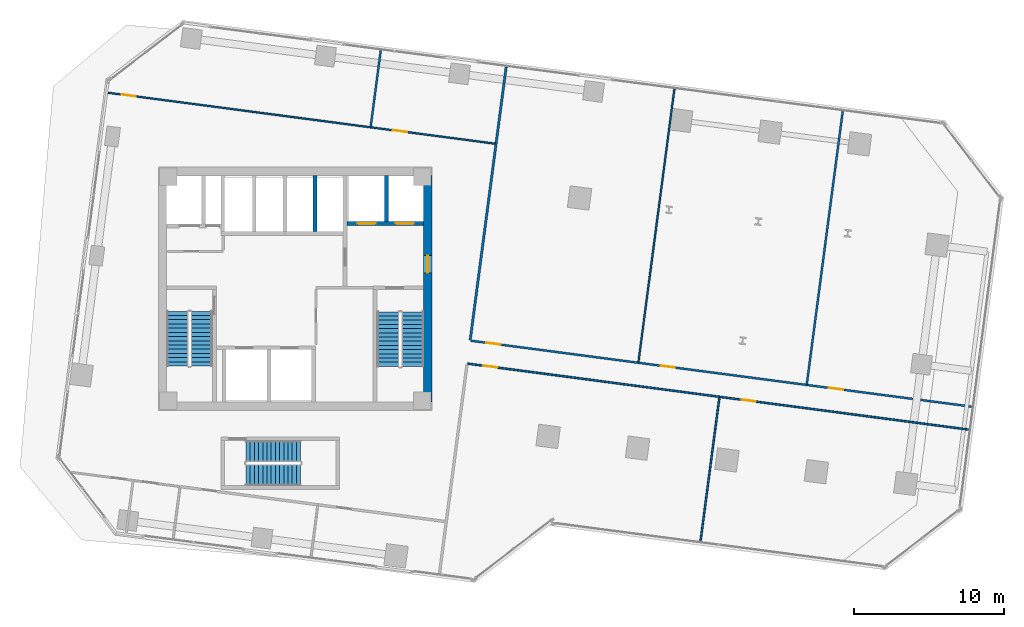
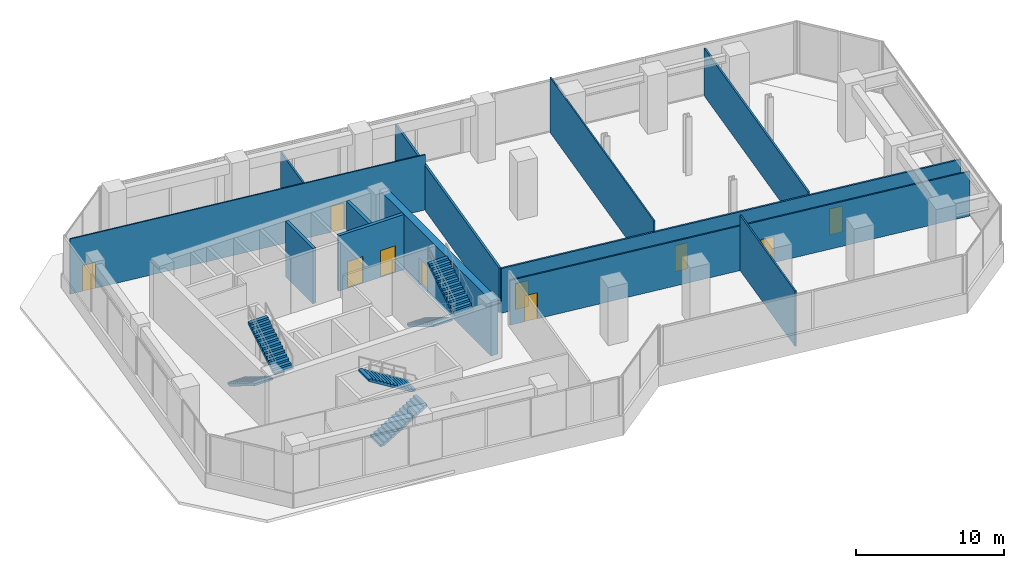
# One storey, part 20 of 24: 12 walls, 10 doors, 6 stair flights, 10 openings, 3 elements without a shape of their own.
"""IFC4 building model written with IfcOpenShell, lengths in metres."""

from ifc_helpers import new_model, si_unit, direction, frame, frame_2d, origin, place, context, subcontext, project, spatial, polyline, rectangle, outline, extrude, source, transform, mapped, material, layer, layer_set, type_object, element, fill, aggregate, save


model = new_model("IFC4")

# Units and contexts
model_context = context("Model", 3, precision=1e-05, world=origin(), true_north=direction((0.0, 1.0)))
body_context = subcontext(model_context, "Body", "Model", "MODEL_VIEW")
ifc_project = project(units=[si_unit("LENGTHUNIT", "METRE"), si_unit("AREAUNIT", "SQUARE_METRE"), si_unit("VOLUMEUNIT", "CUBIC_METRE"), si_unit("PLANEANGLEUNIT", "RADIAN"), si_unit("MASSUNIT", "GRAM", prefix="KILO")], contexts=[model_context])

# Site, building, storey
site_placement = place(None, origin())
site = spatial("IfcSite", under=ifc_project, at=site_placement, CompositionType="ELEMENT")
building_placement = place(site_placement, origin())
building = spatial("IfcBuilding", under=site, at=building_placement, Name="Torre Montelarca", CompositionType="ELEMENT")
storey_placement = place(building_placement, frame((0.0, 0.0, 61.60009765625)))
storey = spatial("IfcBuildingStorey", under=building, at=storey_placement, Name="L13", CompositionType="ELEMENT", Elevation=61.60009765625)

# Wall, openings, doors
ifc_material_1 = material(Name="Concrete C40/50", Category="concrete")
ifc_layer_1 = layer(ifc_material_1, 0.25, Name="Concrete C40/50", Category="concrete")
ifc_layer_set_1 = layer_set([ifc_layer_1], Name="Concrete C40/50")
wall_type_1 = type_object("IfcWallType", Name="CW-SHAFT-250", PredefinedType="SHEAR", material=ifc_layer_set_1)
wall_1_placement = place(storey_placement, frame((21.449951171875, 36.35009765625, 0.0), z_axis=(0.0, 0.0, 1.0), x_axis=(1.0, 0.0, 0.0)))
wall_1 = element("IfcWall", 1, at=wall_1_placement, inside=storey, type_object=wall_type_1, Name="L13 Core Shear Wall SH-FF-S", PredefinedType="SHEAR", context=body_context, shape_type="SweptSolid", body=[
    extrude(rectangle(XDim=5.090087890625, YDim=0.25, at=frame_2d((2.544921875, 0.0))), origin(), (0.0, 0.0, 1.0), 4.559814453125),
])
opening_1_placement = place(wall_1_placement, frame((0.699951171875, 0.0, 0.0)))
opening_1 = element("IfcOpeningElement", 2, at=opening_1_placement, cuts=wall_1, Name="Opening LD-120", PredefinedType="OPENING", context=body_context, shape_type="SweptSolid", body=[
    extrude(rectangle(XDim=1.199951171875, YDim=2.199951171875, at=frame_2d((0.60009765625, 1.10009765625))), frame((0.0, 0.135009765625, 0.0), z_axis=(0.0, -1.0, 0.0), x_axis=(1.0, 0.0, 0.0)), (0.0, 0.0, 1.0), 0.27001953125),
])
opening_2_placement = place(wall_1_placement, frame((3.25, 0.0, 0.0)))
opening_2 = element("IfcOpeningElement", 3, at=opening_2_placement, cuts=wall_1, Name="Opening LD-120", PredefinedType="OPENING", context=body_context, shape_type="SweptSolid", body=[
    extrude(rectangle(XDim=1.199951171875, YDim=2.199951171875, at=frame_2d((0.60009765625, 1.10009765625))), frame((0.0, 0.135009765625, 0.0), z_axis=(0.0, -1.0, 0.0), x_axis=(1.0, 0.0, 0.0)), (0.0, 0.0, 1.0), 0.27001953125),
])
ifc_material_2 = material(Name="Brushed stainless steel AISI 316", Category="steel")
door_type_1 = type_object("IfcDoorType", Name="DR-LIFT-120", OperationType="SLIDING_TO_RIGHT", PredefinedType="DOOR", material=ifc_material_2)
shared_shape_1 = source(origin(), body_context, "Body", "SweptSolid", [
    extrude(rectangle(XDim=1.199951171875, YDim=2.199951171875, at=frame_2d((0.60009765625, 1.10009765625))), frame((0.0, 0.02490234375, 0.0), z_axis=(0.0, -1.0, 0.0), x_axis=(1.0, 0.0, 0.0)), (0.0, 0.0, 1.0), 0.050048828125),
])
door_1_placement = place(opening_1_placement, origin())
door_1 = element("IfcDoor", 4, at=door_1_placement, inside=storey, type_object=door_type_1, Name="L13 Lift Landing Sliding Door FF-1", OperationType="SLIDING_TO_LEFT", OverallHeight=2.199951171875, OverallWidth=1.199951171875, PredefinedType="DOOR", context=body_context, shape_type="MappedRepresentation", body=[
    mapped(shared_shape_1, transform((0.0, 0.0, 0.0), scale=1.0)),
])
fill(opening_1, door_1)
door_2_placement = place(opening_2_placement, origin())
door_2 = element("IfcDoor", 5, at=door_2_placement, inside=storey, type_object=door_type_1, Name="L13 Lift Landing Sliding Door FF-2", OperationType="SLIDING_TO_RIGHT", OverallHeight=2.199951171875, OverallWidth=1.199951171875, PredefinedType="DOOR", context=body_context, shape_type="MappedRepresentation", body=[
    mapped(shared_shape_1, transform((0.0, 0.0, 0.0), scale=1.0)),
])
fill(opening_2, door_2)

# Walls
wall_2_placement = place(storey_placement, frame((24.080078125, 36.47998046875, 0.0), z_axis=(0.0, 0.0, 1.0), x_axis=(0.0, 1.0, 0.0)))
element("IfcWall", 6, at=wall_2_placement, inside=storey, type_object=wall_type_1, Name="L13 Core Shear Wall SH-FF-M", PredefinedType="SHEAR", context=body_context, shape_type="SweptSolid", body=[
    extrude(rectangle(XDim=3.06005859375, YDim=0.25, at=frame_2d((1.530029296875, 0.0))), origin(), (0.0, 0.0, 1.0), 4.559814453125),
])
wall_3_placement = place(storey_placement, frame((19.320068359375, 35.81005859375, 0.0), z_axis=(0.0, 0.0, 1.0), x_axis=(0.0, 1.0, 0.0)))
element("IfcWall", 7, at=wall_3_placement, inside=storey, type_object=wall_type_1, Name="L13 Core Shear Wall SH-PLH-M", PredefinedType="SHEAR", context=body_context, shape_type="SweptSolid", body=[
    extrude(rectangle(XDim=3.72998046875, YDim=0.25, at=frame_2d((1.864990234375, 0.0))), origin(), (0.0, 0.0, 1.0), 4.559814453125),
])

# Wall, opening, door
ifc_material_3 = material(Name="Concrete C70/85", Category="concrete")
ifc_layer_2 = layer(ifc_material_3, 0.550048828125, Name="Concrete C70/85", Category="concrete")
ifc_layer_set_2 = layer_set([ifc_layer_2], Name="Concrete C70/85")
wall_type_2 = type_object("IfcWallType", Name="CW-SHEAR-550", PredefinedType="SHEAR", material=ifc_layer_set_2)
wall_4_placement = place(storey_placement, frame((26.824951171875, 24.449951171875, 0.0), z_axis=(0.0, 0.0, 1.0), x_axis=(0.0, 1.0, 0.0)))
wall_4 = element("IfcWall", 8, at=wall_4_placement, inside=storey, type_object=wall_type_2, Name="L13 Core Shear Wall CW-E", PredefinedType="SHEAR", context=body_context, shape_type="SweptSolid", body=[
    extrude(rectangle(XDim=15.10009765625, YDim=0.550048828125, at=frame_2d((7.550048828125, 0.0))), origin(), (0.0, 0.0, 1.0), 4.559814453125),
])
opening_3_placement = place(wall_4_placement, frame((8.60009765625, 0.0, 0.0)))
opening_3 = element("IfcOpeningElement", 9, at=opening_3_placement, cuts=wall_4, Name="Opening FD-LB1", PredefinedType="OPENING", context=body_context, shape_type="SweptSolid", body=[
    extrude(rectangle(XDim=1.14990234375, YDim=2.199951171875, at=frame_2d((0.574951171875, 1.10009765625))), frame((0.0, 0.28515625, 0.0), z_axis=(0.0, -1.0, 0.0), x_axis=(1.0, 0.0, 0.0)), (0.0, 0.0, 1.0), 0.570068359375),
])
ifc_material_4 = material(Name="Acoustic timber-veneered fire door", Category="wood")
door_type_2 = type_object("IfcDoorType", Name="DR-LOBBY-115", OperationType="NOTDEFINED", PredefinedType="DOOR", material=ifc_material_4)
shared_shape_2 = source(origin(), body_context, "Body", "SweptSolid", [
    extrude(rectangle(XDim=1.14990234375, YDim=2.199951171875, at=frame_2d((0.574951171875, 1.10009765625))), frame((0.0, 0.02490234375, 0.0), z_axis=(0.0, -1.0, 0.0), x_axis=(1.0, 0.0, 0.0)), (0.0, 0.0, 1.0), 0.050048828125),
])
door_3_placement = place(opening_3_placement, origin())
door_3 = element("IfcDoor", 10, at=door_3_placement, inside=storey, type_object=door_type_2, Name="L13 Firefighting Lift Lobby Corridor Fire Door", OperationType="SINGLE_SWING_RIGHT", OverallHeight=2.199951171875, OverallWidth=1.14990234375, PredefinedType="DOOR", context=body_context, shape_type="MappedRepresentation", body=[
    mapped(shared_shape_2, transform((0.0, 0.0, 0.0), scale=1.0)),
])
fill(opening_3, door_3)

# Wall
ifc_material_5 = material(Name="Gypsum plasterboard on steel stud", Category="steel")
ifc_layer_3 = layer(ifc_material_5, 0.159912109375, Name="Gypsum plasterboard on steel stud", Category="steel")
ifc_layer_set_3 = layer_set([ifc_layer_3], Name="Gypsum plasterboard on steel stud")
wall_type_3 = type_object("IfcWallType", Name="PW-FIRE-160", PredefinedType="PARTITIONING", material=ifc_layer_set_3)
wall_5_placement = place(storey_placement, frame((29.644287109375, 28.587890625, 0.0), z_axis=(0.0, 0.0, 1.0), x_axis=(0.130525105318, 0.991445004467, 0.0)))
element("IfcWall", 11, at=wall_5_placement, inside=storey, type_object=wall_type_3, Name="L13 Interior Partition W-L13-ECN", PredefinedType="PARTITIONING", context=body_context, shape_type="SweptSolid", body=[
    extrude(rectangle(XDim=18.33984375, YDim=0.159912109375, at=frame_2d((9.169921875, 0.0))), origin(), (0.0, 0.0, 1.0), 3.69482421875),
])

# Wall, openings, doors
ifc_material_6 = material(Name="Acoustic laminated glass partition", Category="glass")
ifc_layer_4 = layer(ifc_material_6, 0.10009765625, Name="Acoustic laminated glass partition", Category="glass")
ifc_layer_set_4 = layer_set([ifc_layer_4], Name="Acoustic laminated glass partition")
wall_type_4 = type_object("IfcWallType", Name="PW-GLAZ-100", PredefinedType="PARTITIONING", material=ifc_layer_set_4)
wall_6_placement = place(storey_placement, frame((5.546142578125, 45.0439453125, 0.0), z_axis=(0.0, 0.0, 1.0), x_axis=(0.99144534416, -0.13052252504, 0.0)))
wall_6 = element("IfcWall", 12, at=wall_6_placement, inside=storey, type_object=wall_type_4, Name="L13 Interior Partition W-L13-NBOT", PredefinedType="PARTITIONING", context=body_context, shape_type="SweptSolid", body=[
    extrude(rectangle(XDim=25.999755859375, YDim=0.10009765625, at=frame_2d((13.0, 0.0))), origin(), (0.0, 0.0, 1.0), 4.559814453125),
])
opening_4_placement = place(wall_6_placement, frame((0.909912109375, 0.0, 0.0)))
opening_4 = element("IfcOpeningElement", 13, at=opening_4_placement, cuts=wall_6, Name="Opening ID-095", PredefinedType="OPENING", context=body_context, shape_type="SweptSolid", body=[
    extrude(rectangle(XDim=0.949951171875, YDim=2.14990234375, at=frame_2d((0.47509765625, 1.074951171875))), frame((0.0, 0.06005859375, 0.0), z_axis=(0.0, -1.0, 0.0), x_axis=(1.0, 0.0, 0.0)), (0.0, 0.0, 1.0), 0.1201171875),
])
opening_5_placement = place(wall_6_placement, frame((19.110107421875, 0.0, 0.0)))
opening_5 = element("IfcOpeningElement", 14, at=opening_5_placement, cuts=wall_6, Name="Opening ID-095", PredefinedType="OPENING", context=body_context, shape_type="SweptSolid", body=[
    extrude(rectangle(XDim=0.949951171875, YDim=2.14990234375, at=frame_2d((0.47509765625, 1.074951171875))), frame((0.0, 0.06005859375, 0.0), z_axis=(0.0, -1.0, 0.0), x_axis=(1.0, 0.0, 0.0)), (0.0, 0.0, 1.0), 0.1201171875),
])
ifc_material_7 = material(Name="Hardwood acoustic timber veneer", Category="wood")
door_type_3 = type_object("IfcDoorType", Name="DR-INT-095", OperationType="NOTDEFINED", PredefinedType="DOOR", material=ifc_material_7)
shared_shape_3 = source(origin(), body_context, "Body", "SweptSolid", [
    extrude(rectangle(XDim=0.949951171875, YDim=2.14990234375, at=frame_2d((0.47509765625, 1.074951171875))), frame((0.0, 0.02490234375, 0.0), z_axis=(0.0, -1.0, 0.0), x_axis=(1.0, 0.0, 0.0)), (0.0, 0.0, 1.0), 0.050048828125),
])
door_4_placement = place(opening_4_placement, origin())
door_4 = element("IfcDoor", 15, at=door_4_placement, inside=storey, type_object=door_type_3, Name="L13 Interior Door 07", OperationType="SINGLE_SWING_LEFT", OverallHeight=2.14990234375, OverallWidth=0.949951171875, PredefinedType="DOOR", context=body_context, shape_type="MappedRepresentation", body=[
    mapped(shared_shape_3, transform((0.0, 0.0, 0.0), scale=1.0)),
])
fill(opening_4, door_4)
door_5_placement = place(opening_5_placement, origin())
door_5 = element("IfcDoor", 16, at=door_5_placement, inside=storey, type_object=door_type_3, Name="L13 Interior Door 08", OperationType="SINGLE_SWING_RIGHT", OverallHeight=2.14990234375, OverallWidth=0.949951171875, PredefinedType="DOOR", context=body_context, shape_type="MappedRepresentation", body=[
    mapped(shared_shape_3, transform((0.0, 0.0, 0.0), scale=1.0)),
])
fill(opening_5, door_5)

# Wall
wall_7_placement = place(storey_placement, frame((40.837646484375, 27.1142578125, 0.0), z_axis=(0.0, 0.0, 1.0), x_axis=(0.130538190585, 0.991443281685, 0.0)))
element("IfcWall", 17, at=wall_7_placement, inside=storey, type_object=wall_type_4, Name="L13 Interior Partition W-L13-NEDIV-1", PredefinedType="PARTITIONING", context=body_context, shape_type="SweptSolid", body=[
    extrude(rectangle(XDim=18.33984375, YDim=0.10009765625, at=frame_2d((9.169921875, 0.0))), origin(), (0.0, 0.0, 1.0), 4.559814453125),
])

# Wall, openings, doors
ifc_layer_5 = layer(ifc_material_5, 0.114990234375, Name="Gypsum plasterboard on steel stud", Category="steel")
ifc_layer_set_5 = layer_set([ifc_layer_5], Name="Gypsum plasterboard on steel stud")
wall_type_5 = type_object("IfcWallType", Name="PW-PART-115", PredefinedType="PARTITIONING", material=ifc_layer_set_5)
wall_8_placement = place(storey_placement, frame((29.477783203125, 27.01611328125, 0.0), z_axis=(0.0, 0.0, 1.0), x_axis=(0.991444590622, -0.130528248771, 0.0)))
wall_8 = element("IfcWall", 18, at=wall_8_placement, inside=storey, type_object=wall_type_5, Name="L13 Interior Partition W-L13-SE-N", PredefinedType="PARTITIONING", context=body_context, shape_type="SweptSolid", body=[
    extrude(rectangle(XDim=33.659912109375, YDim=0.114990234375, at=frame_2d((16.830078125, 0.0))), origin(), (0.0, 0.0, 1.0), 3.69482421875),
])
opening_6_placement = place(wall_8_placement, frame((1.050048828125, 0.0, 0.0)))
opening_6 = element("IfcOpeningElement", 19, at=opening_6_placement, cuts=wall_8, Name="Opening ID-095", PredefinedType="OPENING", context=body_context, shape_type="SweptSolid", body=[
    extrude(rectangle(XDim=0.949951171875, YDim=2.14990234375, at=frame_2d((0.47509765625, 1.074951171875))), frame((0.0, 0.0673828125, 0.0), z_axis=(0.0, -1.0, 0.0), x_axis=(1.0, 0.0, 0.0)), (0.0, 0.0, 1.0), 0.135009765625),
])
opening_7_placement = place(wall_8_placement, frame((18.389892578125, 0.0, 0.0)))
opening_7 = element("IfcOpeningElement", 20, at=opening_7_placement, cuts=wall_8, Name="Opening ID-095", PredefinedType="OPENING", context=body_context, shape_type="SweptSolid", body=[
    extrude(rectangle(XDim=0.949951171875, YDim=2.14990234375, at=frame_2d((0.47509765625, 1.074951171875))), frame((0.0, 0.0673828125, 0.0), z_axis=(0.0, -1.0, 0.0), x_axis=(1.0, 0.0, 0.0)), (0.0, 0.0, 1.0), 0.135009765625),
])
door_6_placement = place(opening_6_placement, origin())
door_6 = element("IfcDoor", 21, at=door_6_placement, inside=storey, type_object=door_type_3, Name="L13 Interior Door 12", OperationType="SINGLE_SWING_LEFT", OverallHeight=2.14990234375, OverallWidth=0.949951171875, PredefinedType="DOOR", context=body_context, shape_type="MappedRepresentation", body=[
    mapped(shared_shape_3, transform((0.0, 0.0, 0.0), scale=1.0)),
])
fill(opening_6, door_6)
door_7_placement = place(opening_7_placement, origin())
door_7 = element("IfcDoor", 22, at=door_7_placement, inside=storey, type_object=door_type_3, Name="L13 Interior Door 13", OperationType="SINGLE_SWING_RIGHT", OverallHeight=2.14990234375, OverallWidth=0.949951171875, PredefinedType="DOOR", context=body_context, shape_type="MappedRepresentation", body=[
    mapped(shared_shape_3, transform((0.0, 0.0, 0.0), scale=1.0)),
])
fill(opening_7, door_7)

# Walls
wall_9_placement = place(storey_placement, frame((44.96435546875, 15.17333984375, 0.0), z_axis=(0.0, 0.0, 1.0), x_axis=(0.130519754353, 0.991445708914, 0.0)))
element("IfcWall", 23, at=wall_9_placement, inside=storey, type_object=wall_type_5, Name="L13 Interior Partition W-L13-SEDIV-1", PredefinedType="PARTITIONING", context=body_context, shape_type="SweptSolid", body=[
    extrude(rectangle(XDim=9.679931640625, YDim=0.114990234375, at=frame_2d((4.83984375, 0.0))), origin(), (0.0, 0.0, 1.0), 4.559814453125),
])
ifc_layer_6 = layer(ifc_material_5, 0.135009765625, Name="Gypsum plasterboard on steel stud", Category="steel")
ifc_layer_set_6 = layer_set([ifc_layer_6], Name="Gypsum plasterboard on steel stud")
wall_type_6 = type_object("IfcWallType", Name="PW-PART-135", PredefinedType="PARTITIONING", material=ifc_layer_set_6)
wall_10_placement = place(storey_placement, frame((23.0205078125, 42.78369140625, 0.0), z_axis=(0.0, 0.0, 1.0), x_axis=(0.130539454953, 0.991443115212, 0.0)))
element("IfcWall", 24, at=wall_10_placement, inside=storey, type_object=wall_type_6, Name="L13 Interior Partition W-L13-NDIV-1", PredefinedType="PARTITIONING", context=body_context, shape_type="SweptSolid", body=[
    extrude(rectangle(XDim=5.130126953125, YDim=0.135009765625, at=frame_2d((2.56494140625, 0.0))), origin(), (0.0, 0.0, 1.0), 3.69482421875),
])

# Wall, openings, doors
wall_11_placement = place(storey_placement, frame((29.6787109375, 28.54296875, 0.0), z_axis=(0.0, 0.0, 1.0), x_axis=(0.991444714197, -0.130527310133, 0.0)))
wall_11 = element("IfcWall", 25, at=wall_11_placement, inside=storey, type_object=wall_type_6, Name="L13 Interior Partition W-L13-NE-S", PredefinedType="PARTITIONING", context=body_context, shape_type="SweptSolid", body=[
    extrude(rectangle(XDim=33.66015625, YDim=0.135009765625, at=frame_2d((16.830078125, 0.0))), origin(), (0.0, 0.0, 1.0), 3.69482421875),
])
opening_8_placement = place(wall_11_placement, frame((1.050048828125, 0.0, 0.0)))
opening_8 = element("IfcOpeningElement", 26, at=opening_8_placement, cuts=wall_11, Name="Opening ID-095", PredefinedType="OPENING", context=body_context, shape_type="SweptSolid", body=[
    extrude(rectangle(XDim=0.949951171875, YDim=2.14990234375, at=frame_2d((0.47509765625, 1.074951171875))), frame((0.0, 0.07763671875, 0.0), z_axis=(0.0, -1.0, 0.0), x_axis=(1.0, 0.0, 0.0)), (0.0, 0.0, 1.0), 0.155029296875),
])
opening_9_placement = place(wall_11_placement, frame((12.739990234375, 0.0, 0.0)))
opening_9 = element("IfcOpeningElement", 27, at=opening_9_placement, cuts=wall_11, Name="Opening ID-095", PredefinedType="OPENING", context=body_context, shape_type="SweptSolid", body=[
    extrude(rectangle(XDim=0.949951171875, YDim=2.14990234375, at=frame_2d((0.47509765625, 1.074951171875))), frame((0.0, 0.07763671875, 0.0), z_axis=(0.0, -1.0, 0.0), x_axis=(1.0, 0.0, 0.0)), (0.0, 0.0, 1.0), 0.155029296875),
])
opening_10_placement = place(wall_11_placement, frame((24.0400390625, 0.0, 0.0)))
opening_10 = element("IfcOpeningElement", 28, at=opening_10_placement, cuts=wall_11, Name="Opening ID-095", PredefinedType="OPENING", context=body_context, shape_type="SweptSolid", body=[
    extrude(rectangle(XDim=0.949951171875, YDim=2.14990234375, at=frame_2d((0.47509765625, 1.074951171875))), frame((0.0, 0.07763671875, 0.0), z_axis=(0.0, -1.0, 0.0), x_axis=(1.0, 0.0, 0.0)), (0.0, 0.0, 1.0), 0.155029296875),
])
door_8_placement = place(opening_8_placement, origin())
door_8 = element("IfcDoor", 29, at=door_8_placement, inside=storey, type_object=door_type_3, Name="L13 Interior Door 09", OperationType="SINGLE_SWING_LEFT", OverallHeight=2.14990234375, OverallWidth=0.949951171875, PredefinedType="DOOR", context=body_context, shape_type="MappedRepresentation", body=[
    mapped(shared_shape_3, transform((0.0, 0.0, 0.0), scale=1.0)),
])
fill(opening_8, door_8)
door_9_placement = place(opening_9_placement, origin())
door_9 = element("IfcDoor", 30, at=door_9_placement, inside=storey, type_object=door_type_3, Name="L13 Interior Door 10", OperationType="SINGLE_SWING_RIGHT", OverallHeight=2.14990234375, OverallWidth=0.949951171875, PredefinedType="DOOR", context=body_context, shape_type="MappedRepresentation", body=[
    mapped(shared_shape_3, transform((0.0, 0.0, 0.0), scale=1.0)),
])
fill(opening_9, door_9)
door_10_placement = place(opening_10_placement, origin())
door_10 = element("IfcDoor", 31, at=door_10_placement, inside=storey, type_object=door_type_3, Name="L13 Interior Door 11", OperationType="SINGLE_SWING_RIGHT", OverallHeight=2.14990234375, OverallWidth=0.949951171875, PredefinedType="DOOR", context=body_context, shape_type="MappedRepresentation", body=[
    mapped(shared_shape_3, transform((0.0, 0.0, 0.0), scale=1.0)),
])
fill(opening_10, door_10)

# Wall
wall_12_placement = place(storey_placement, frame((52.041015625, 25.63916015625, 0.0), z_axis=(0.0, 0.0, 1.0), x_axis=(0.130523382643, 0.991445231258, 0.0)))
element("IfcWall", 32, at=wall_12_placement, inside=storey, type_object=wall_type_6, Name="L13 Interior Partition W-L13-NEDIV-2", PredefinedType="PARTITIONING", context=body_context, shape_type="SweptSolid", body=[
    extrude(rectangle(XDim=18.340087890625, YDim=0.135009765625, at=frame_2d((9.169921875, 0.0))), origin(), (0.0, 0.0, 1.0), 3.9228515625),
])

# Stair, stair flights
stair_type_1 = type_object("IfcStairType", Name="ST-CORE-ST1", PredefinedType="HALF_TURN_STAIR", material=ifc_material_1)
stair_1_placement = place(storey_placement, origin())
stair_1 = element("IfcStair", 33, at=stair_1_placement, inside=storey, type_object=stair_type_1, Name="L13 Protected Exit Stair ST1", PredefinedType="HALF_TURN_STAIR")
stair_flight_type_1 = type_object("IfcStairFlightType", Name="SFL-CORE-ST1", PredefinedType="STRAIGHT", material=ifc_material_1)
stair_flight_1_placement = place(storey_placement, frame((10.175048828125, 30.5, 0.0), z_axis=(0.0, 0.0, 1.0), x_axis=(0.0, -1.0, 0.0)))
stair_flight_1 = element("IfcStairFlight", 34, at=stair_flight_1_placement, type_object=stair_flight_type_1, Name="ST1 flight 1", NumberOfRisers=14, NumberOfTreads=13, PredefinedType="STRAIGHT", RiserHeight=0.171428571, TreadLength=0.28, context=body_context, shape_type="SweptSolid", body=[
    extrude(outline(polyline([(0.0, 0.0), (0.0, 0.17138671875), (0.280029296875, 0.17138671875), (0.280029296875, 0.3427734375), (0.56005859375, 0.3427734375), (0.56005859375, 0.514404296875), (0.840087890625, 0.514404296875), (0.840087890625, 0.685791015625), (1.1201171875, 0.685791015625), (1.1201171875, 0.857177734375), (1.39990234375, 0.857177734375), (1.39990234375, 1.028564453125), (1.679931640625, 1.028564453125), (1.679931640625, 1.199951171875), (1.9599609375, 1.199951171875), (1.9599609375, 1.371337890625), (2.239990234375, 1.371337890625), (2.239990234375, 1.54296875), (2.52001953125, 1.54296875), (2.52001953125, 1.71435546875), (2.800048828125, 1.71435546875), (2.800048828125, 1.8857421875), (3.080078125, 1.8857421875), (3.080078125, 2.05712890625), (3.360107421875, 2.05712890625), (3.360107421875, 2.228515625), (3.639892578125, 2.228515625), (3.639892578125, 2.39990234375), (3.639892578125, 2.052734375), (0.287109375, 0.0), (0.0, 0.0)])), frame((0.0, 0.72509765625, 0.0), z_axis=(0.0, -1.0, 0.0), x_axis=(1.0, 0.0, 0.0)), (0.0, 0.0, 1.0), 1.449951171875),
])
stair_flight_2_placement = place(storey_placement, frame((11.77490234375, 26.860107421875, 2.39990234375), z_axis=(0.0, 0.0, 1.0), x_axis=(0.0, 1.0, 0.0)))
stair_flight_2 = element("IfcStairFlight", 35, at=stair_flight_2_placement, type_object=stair_flight_type_1, Name="ST1 flight 2", NumberOfRisers=14, NumberOfTreads=13, PredefinedType="STRAIGHT", RiserHeight=0.171428571, TreadLength=0.28, context=body_context, shape_type="SweptSolid", body=[
    extrude(outline(polyline([(0.0, 0.0), (0.0, 0.17138671875), (0.280029296875, 0.17138671875), (0.280029296875, 0.3427734375), (0.56005859375, 0.3427734375), (0.56005859375, 0.514404296875), (0.840087890625, 0.514404296875), (0.840087890625, 0.685791015625), (1.1201171875, 0.685791015625), (1.1201171875, 0.857177734375), (1.39990234375, 0.857177734375), (1.39990234375, 1.028564453125), (1.679931640625, 1.028564453125), (1.679931640625, 1.199951171875), (1.9599609375, 1.199951171875), (1.9599609375, 1.371337890625), (2.239990234375, 1.371337890625), (2.239990234375, 1.54296875), (2.52001953125, 1.54296875), (2.52001953125, 1.71435546875), (2.800048828125, 1.71435546875), (2.800048828125, 1.8857421875), (3.080078125, 1.8857421875), (3.080078125, 2.05712890625), (3.360107421875, 2.05712890625), (3.360107421875, 2.228515625), (3.639892578125, 2.228515625), (3.639892578125, 2.39990234375), (3.639892578125, 2.052734375), (0.287109375, 0.0), (0.0, 0.0)])), frame((0.0, 0.72509765625, 0.0), z_axis=(0.0, -1.0, 0.0), x_axis=(1.0, 0.0, 0.0)), (0.0, 0.0, 1.0), 1.449951171875),
])
aggregate(stair_1, [stair_flight_1, stair_flight_2])

stair_type_2 = type_object("IfcStairType", Name="ST-CORE-ST2", PredefinedType="HALF_TURN_STAIR", material=ifc_material_1)
stair_2_placement = place(storey_placement, origin())
stair_2 = element("IfcStair", 36, at=stair_2_placement, inside=storey, type_object=stair_type_2, Name="L13 Protected Exit Stair ST2", PredefinedType="HALF_TURN_STAIR")
stair_flight_type_2 = type_object("IfcStairFlightType", Name="SFL-CORE-ST2", PredefinedType="STRAIGHT", material=ifc_material_1)
stair_flight_3_placement = place(storey_placement, frame((24.179931640625, 30.469970703125, 0.0), z_axis=(0.0, 0.0, 1.0), x_axis=(0.0, -1.0, 0.0)))
stair_flight_3 = element("IfcStairFlight", 37, at=stair_flight_3_placement, type_object=stair_flight_type_2, Name="ST2 flight 1", NumberOfRisers=14, NumberOfTreads=13, PredefinedType="STRAIGHT", RiserHeight=0.171428571, TreadLength=0.28, context=body_context, shape_type="SweptSolid", body=[
    extrude(outline(polyline([(0.0, 0.0), (0.0, 0.17138671875), (0.280029296875, 0.17138671875), (0.280029296875, 0.3427734375), (0.56005859375, 0.3427734375), (0.56005859375, 0.514404296875), (0.840087890625, 0.514404296875), (0.840087890625, 0.685791015625), (1.1201171875, 0.685791015625), (1.1201171875, 0.857177734375), (1.39990234375, 0.857177734375), (1.39990234375, 1.028564453125), (1.679931640625, 1.028564453125), (1.679931640625, 1.199951171875), (1.9599609375, 1.199951171875), (1.9599609375, 1.371337890625), (2.239990234375, 1.371337890625), (2.239990234375, 1.54296875), (2.52001953125, 1.54296875), (2.52001953125, 1.71435546875), (2.800048828125, 1.71435546875), (2.800048828125, 1.8857421875), (3.080078125, 1.8857421875), (3.080078125, 2.05712890625), (3.360107421875, 2.05712890625), (3.360107421875, 2.228515625), (3.639892578125, 2.228515625), (3.639892578125, 2.39990234375), (3.639892578125, 2.052734375), (0.287109375, 0.0), (0.0, 0.0)])), frame((0.0, 0.739990234375, 0.0), z_axis=(0.0, -1.0, 0.0), x_axis=(1.0, 0.0, 0.0)), (0.0, 0.0, 1.0), 1.47998046875),
])
stair_flight_4_placement = place(storey_placement, frame((25.81005859375, 26.830078125, 2.39990234375), z_axis=(0.0, 0.0, 1.0), x_axis=(0.0, 1.0, 0.0)))
stair_flight_4 = element("IfcStairFlight", 38, at=stair_flight_4_placement, type_object=stair_flight_type_2, Name="ST2 flight 2", NumberOfRisers=14, NumberOfTreads=13, PredefinedType="STRAIGHT", RiserHeight=0.171428571, TreadLength=0.28, context=body_context, shape_type="SweptSolid", body=[
    extrude(outline(polyline([(0.0, 0.0), (0.0, 0.17138671875), (0.280029296875, 0.17138671875), (0.280029296875, 0.3427734375), (0.56005859375, 0.3427734375), (0.56005859375, 0.514404296875), (0.840087890625, 0.514404296875), (0.840087890625, 0.685791015625), (1.1201171875, 0.685791015625), (1.1201171875, 0.857177734375), (1.39990234375, 0.857177734375), (1.39990234375, 1.028564453125), (1.679931640625, 1.028564453125), (1.679931640625, 1.199951171875), (1.9599609375, 1.199951171875), (1.9599609375, 1.371337890625), (2.239990234375, 1.371337890625), (2.239990234375, 1.54296875), (2.52001953125, 1.54296875), (2.52001953125, 1.71435546875), (2.800048828125, 1.71435546875), (2.800048828125, 1.8857421875), (3.080078125, 1.8857421875), (3.080078125, 2.05712890625), (3.360107421875, 2.05712890625), (3.360107421875, 2.228515625), (3.639892578125, 2.228515625), (3.639892578125, 2.39990234375), (3.639892578125, 2.052734375), (0.287109375, 0.0), (0.0, 0.0)])), frame((0.0, 0.739990234375, 0.0), z_axis=(0.0, -1.0, 0.0), x_axis=(1.0, 0.0, 0.0)), (0.0, 0.0, 1.0), 1.47998046875),
])
aggregate(stair_2, [stair_flight_3, stair_flight_4])

stair_type_3 = type_object("IfcStairType", Name="ST-CORE-ST3", PredefinedType="HALF_TURN_STAIR", material=ifc_material_1)
stair_3_placement = place(storey_placement, origin())
stair_3 = element("IfcStair", 39, at=stair_3_placement, inside=storey, type_object=stair_type_3, Name="L13 Low-Rise Exit Stair ST3", PredefinedType="HALF_TURN_STAIR")
stair_flight_type_3 = type_object("IfcStairFlightType", Name="SFL-CORE-ST3", PredefinedType="STRAIGHT", material=ifc_material_1)
stair_flight_5_placement = place(storey_placement, frame((14.719970703125, 19.610107421875, 0.0), z_axis=(0.0, 0.0, 1.0), x_axis=(1.0, 0.0, 0.0)))
stair_flight_5 = element("IfcStairFlight", 40, at=stair_flight_5_placement, type_object=stair_flight_type_3, Name="ST3 flight 1", NumberOfRisers=14, NumberOfTreads=13, PredefinedType="STRAIGHT", RiserHeight=0.171428571, TreadLength=0.28, context=body_context, shape_type="SweptSolid", body=[
    extrude(outline(polyline([(0.0, 0.0), (0.0, 0.17138671875), (0.280029296875, 0.17138671875), (0.280029296875, 0.3427734375), (0.56005859375, 0.3427734375), (0.56005859375, 0.514404296875), (0.840087890625, 0.514404296875), (0.840087890625, 0.685791015625), (1.1201171875, 0.685791015625), (1.1201171875, 0.857177734375), (1.39990234375, 0.857177734375), (1.39990234375, 1.028564453125), (1.679931640625, 1.028564453125), (1.679931640625, 1.199951171875), (1.9599609375, 1.199951171875), (1.9599609375, 1.371337890625), (2.239990234375, 1.371337890625), (2.239990234375, 1.54296875), (2.52001953125, 1.54296875), (2.52001953125, 1.71435546875), (2.800048828125, 1.71435546875), (2.800048828125, 1.8857421875), (3.080078125, 1.8857421875), (3.080078125, 2.05712890625), (3.360107421875, 2.05712890625), (3.360107421875, 2.228515625), (3.639892578125, 2.228515625), (3.639892578125, 2.39990234375), (3.639892578125, 2.052734375), (0.287109375, 0.0), (0.0, 0.0)])), frame((0.0, 0.7099609375, 0.0), z_axis=(0.0, -1.0, 0.0), x_axis=(1.0, 0.0, 0.0)), (0.0, 0.0, 1.0), 1.419921875),
])
stair_flight_6_placement = place(storey_placement, frame((18.360107421875, 21.179931640625, 2.39990234375), z_axis=(0.0, 0.0, 1.0), x_axis=(-1.0, 0.0, 0.0)))
stair_flight_6 = element("IfcStairFlight", 41, at=stair_flight_6_placement, type_object=stair_flight_type_3, Name="ST3 flight 2", NumberOfRisers=14, NumberOfTreads=13, PredefinedType="STRAIGHT", RiserHeight=0.171428571, TreadLength=0.28, context=body_context, shape_type="SweptSolid", body=[
    extrude(outline(polyline([(0.0, 0.0), (0.0, 0.17138671875), (0.280029296875, 0.17138671875), (0.280029296875, 0.3427734375), (0.56005859375, 0.3427734375), (0.56005859375, 0.514404296875), (0.840087890625, 0.514404296875), (0.840087890625, 0.685791015625), (1.1201171875, 0.685791015625), (1.1201171875, 0.857177734375), (1.39990234375, 0.857177734375), (1.39990234375, 1.028564453125), (1.679931640625, 1.028564453125), (1.679931640625, 1.199951171875), (1.9599609375, 1.199951171875), (1.9599609375, 1.371337890625), (2.239990234375, 1.371337890625), (2.239990234375, 1.54296875), (2.52001953125, 1.54296875), (2.52001953125, 1.71435546875), (2.800048828125, 1.71435546875), (2.800048828125, 1.8857421875), (3.080078125, 1.8857421875), (3.080078125, 2.05712890625), (3.360107421875, 2.05712890625), (3.360107421875, 2.228515625), (3.639892578125, 2.228515625), (3.639892578125, 2.39990234375), (3.639892578125, 2.052734375), (0.287109375, 0.0), (0.0, 0.0)])), frame((0.0, 0.7099609375, 0.0), z_axis=(0.0, -1.0, 0.0), x_axis=(1.0, 0.0, 0.0)), (0.0, 0.0, 1.0), 1.419921875),
])
aggregate(stair_3, [stair_flight_5, stair_flight_6])

save(model, "model.ifc")
